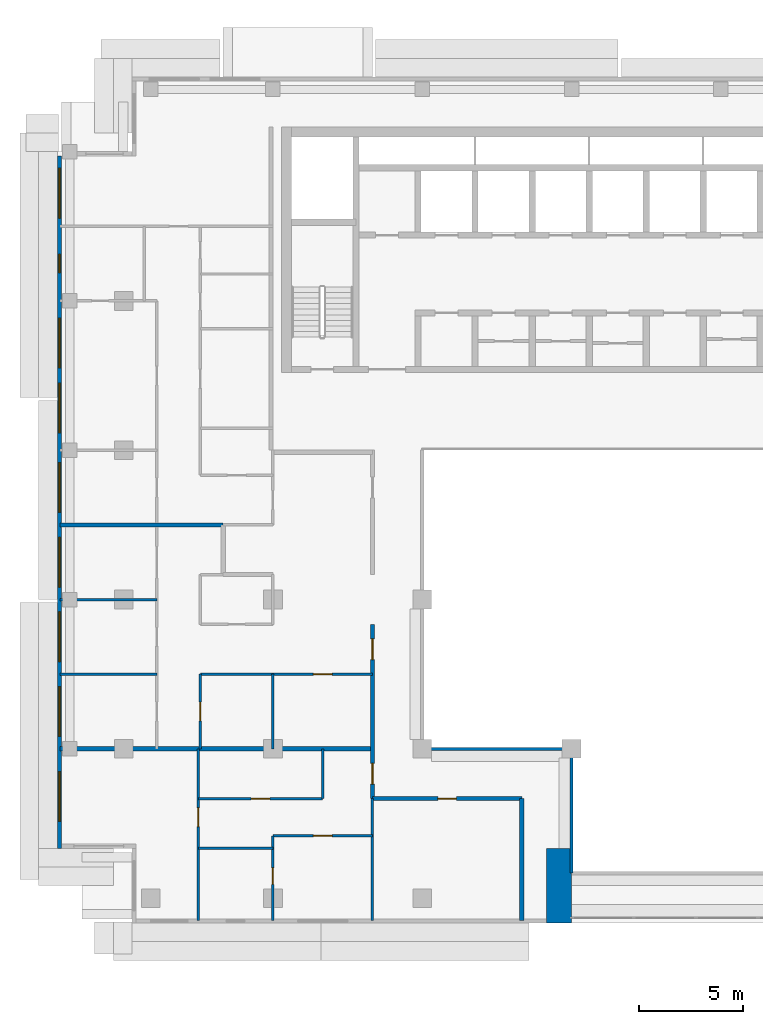
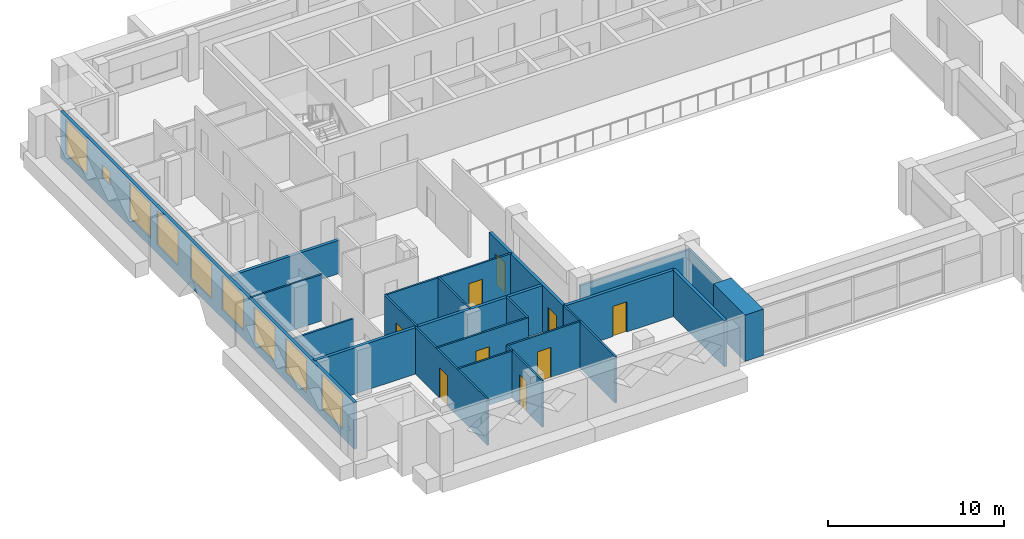
# One storey, part 6 of 19: 21 walls, 9 doors, 9 windows, 18 openings.
"""IFC4 building model written with IfcOpenShell, lengths in metres."""

from ifc_helpers import new_model, si_unit, direction, frame, frame_2d, origin, place, context, subcontext, project, spatial, rectangle, extrude, material, layer, layer_set, type_object, element, fill, save


model = new_model("IFC4")

# Units and contexts
model_context = context("Model", 3, precision=1e-05, world=origin(), true_north=direction((0.0, 1.0)))
body_context = subcontext(model_context, "Body", "Model", "MODEL_VIEW")
ifc_project = project(units=[si_unit("LENGTHUNIT", "METRE"), si_unit("AREAUNIT", "SQUARE_METRE"), si_unit("VOLUMEUNIT", "CUBIC_METRE"), si_unit("PLANEANGLEUNIT", "RADIAN"), si_unit("MASSUNIT", "GRAM", prefix="KILO")], contexts=[model_context])

# Site, building, storey
site_placement = place(None, origin())
site = spatial("IfcSite", under=ifc_project, at=site_placement, CompositionType="ELEMENT")
building_placement = place(site_placement, origin())
building = spatial("IfcBuilding", under=site, at=building_placement, Name="Saffron Iwan Residences", CompositionType="ELEMENT")
storey_placement = place(building_placement, frame((0.0, 0.0, 215.0)))
storey = spatial("IfcBuildingStorey", under=building, at=storey_placement, Name="L57", CompositionType="ELEMENT", Elevation=215.0)

# Walls
ifc_material_1 = material(Name="Fire-rated glazing", Category="glass")
ifc_layer_1 = layer(ifc_material_1, 0.14990234375)
ifc_layer_set_1 = layer_set([ifc_layer_1], Name="Fire-rated glazing")
wall_type_1 = type_object("IfcWallType", Name="Atrium glazed screen 150", PredefinedType="SOLIDWALL", material=ifc_layer_set_1)
wall_1_placement = place(storey_placement, frame((36.0, 48.0, 0.0), z_axis=(0.0, 0.0, 1.0), x_axis=(1.0, 0.0, 0.0)))
element("IfcWall", 1, at=wall_1_placement, inside=storey, type_object=wall_type_1, Name="W-L57-SCREEN-h48-36", PredefinedType="SOLIDWALL", context=body_context, shape_type="SweptSolid", body=[
    extrude(rectangle(XDim=7.199951171875, YDim=0.14990234375, at=frame_2d((3.60009765625, 0.0))), origin(), (0.0, 0.0, 1.0), 2.320068359375),
])
wall_2_placement = place(storey_placement, frame((43.199951171875, 42.0, 0.0), z_axis=(0.0, 0.0, 1.0), x_axis=(0.0, 1.0, 0.0)))
element("IfcWall", 2, at=wall_2_placement, inside=storey, type_object=wall_type_1, Name="W-L57-SCREEN-v43.2-42", PredefinedType="SOLIDWALL", context=body_context, shape_type="SweptSolid", body=[
    extrude(rectangle(XDim=6.0, YDim=0.14990234375, at=frame_2d((3.0, 0.0))), origin(), (0.0, 0.0, 1.0), 2.320068359375),
])

# Wall, openings, windows
ifc_material_2 = material(Name="Concrete C40/50", Category="concrete")
ifc_layer_2 = layer(ifc_material_2, 0.199951171875)
ifc_layer_set_2 = layer_set([ifc_layer_2], Name="Concrete C40/50")
wall_type_2 = type_object("IfcWallType", Name="EXTERNAL WALL 200", PredefinedType="SOLIDWALL", material=ifc_layer_set_2)
wall_3_placement = place(storey_placement, frame((18.5, 76.60009765625, 0.0), z_axis=(0.0, 0.0, 1.0), x_axis=(0.0, -1.0, 0.0)))
wall_3 = element("IfcWall", 3, at=wall_3_placement, inside=storey, type_object=wall_type_2, Name="External wall L57 F8.0", PredefinedType="SOLIDWALL", context=body_context, shape_type="SweptSolid", body=[
    extrude(rectangle(XDim=33.400146484375, YDim=0.199951171875, at=frame_2d((16.7001953125, 0.0))), origin(), (0.0, 0.0, 1.0), 3.219970703125),
])
opening_1_placement = place(wall_3_placement, frame((29.699951171875, 0.0, 0.60009765625)))
opening_1 = element("IfcOpeningElement", 4, at=opening_1_placement, cuts=wall_3, Name="Opening W1", PredefinedType="OPENING", context=body_context, shape_type="SweptSolid", body=[
    extrude(rectangle(XDim=2.39990234375, YDim=2.39990234375, at=frame_2d((1.199951171875, 1.199951171875))), frame((0.0, 0.10986328125, 0.0), z_axis=(0.0, -1.0, 0.0), x_axis=(1.0, 0.0, 0.0)), (0.0, 0.0, 1.0), 0.219970703125),
])
opening_2_placement = place(wall_3_placement, frame((25.60009765625, 0.0, 0.60009765625)))
opening_2 = element("IfcOpeningElement", 5, at=opening_2_placement, cuts=wall_3, Name="Opening W1", PredefinedType="OPENING", context=body_context, shape_type="SweptSolid", body=[
    extrude(rectangle(XDim=2.39990234375, YDim=2.39990234375, at=frame_2d((1.199951171875, 1.199951171875))), frame((0.0, 0.10986328125, 0.0), z_axis=(0.0, -1.0, 0.0), x_axis=(1.0, 0.0, 0.0)), (0.0, 0.0, 1.0), 0.219970703125),
])
opening_3_placement = place(wall_3_placement, frame((22.0, 0.0, 0.60009765625)))
opening_3 = element("IfcOpeningElement", 6, at=opening_3_placement, cuts=wall_3, Name="Opening W1", PredefinedType="OPENING", context=body_context, shape_type="SweptSolid", body=[
    extrude(rectangle(XDim=2.39990234375, YDim=2.39990234375, at=frame_2d((1.199951171875, 1.199951171875))), frame((0.0, 0.10986328125, 0.0), z_axis=(0.0, -1.0, 0.0), x_axis=(1.0, 0.0, 0.0)), (0.0, 0.0, 1.0), 0.219970703125),
])
opening_4_placement = place(wall_3_placement, frame((18.39990234375, 0.0, 0.60009765625)))
opening_4 = element("IfcOpeningElement", 7, at=opening_4_placement, cuts=wall_3, Name="Opening W1", PredefinedType="OPENING", context=body_context, shape_type="SweptSolid", body=[
    extrude(rectangle(XDim=2.39990234375, YDim=2.39990234375, at=frame_2d((1.199951171875, 1.199951171875))), frame((0.0, 0.10986328125, 0.0), z_axis=(0.0, -1.0, 0.0), x_axis=(1.0, 0.0, 0.0)), (0.0, 0.0, 1.0), 0.219970703125),
])
opening_5_placement = place(wall_3_placement, frame((14.800048828125, 0.0, 0.60009765625)))
opening_5 = element("IfcOpeningElement", 8, at=opening_5_placement, cuts=wall_3, Name="Opening W1", PredefinedType="OPENING", context=body_context, shape_type="SweptSolid", body=[
    extrude(rectangle(XDim=2.39990234375, YDim=2.39990234375, at=frame_2d((1.199951171875, 1.199951171875))), frame((0.0, 0.10986328125, 0.0), z_axis=(0.0, -1.0, 0.0), x_axis=(1.0, 0.0, 0.0)), (0.0, 0.0, 1.0), 0.219970703125),
])
opening_6_placement = place(wall_3_placement, frame((7.833251953125, 0.0, 0.60009765625)))
opening_6 = element("IfcOpeningElement", 9, at=opening_6_placement, cuts=wall_3, Name="Opening W1", PredefinedType="OPENING", context=body_context, shape_type="SweptSolid", body=[
    extrude(rectangle(XDim=2.39990234375, YDim=2.39990234375, at=frame_2d((1.199951171875, 1.199951171875))), frame((0.0, 0.10986328125, 0.0), z_axis=(0.0, -1.0, 0.0), x_axis=(1.0, 0.0, 0.0)), (0.0, 0.0, 1.0), 0.219970703125),
])
opening_7_placement = place(wall_3_placement, frame((10.966796875, 0.0, 0.60009765625)))
opening_7 = element("IfcOpeningElement", 10, at=opening_7_placement, cuts=wall_3, Name="Opening W1", PredefinedType="OPENING", context=body_context, shape_type="SweptSolid", body=[
    extrude(rectangle(XDim=2.39990234375, YDim=2.39990234375, at=frame_2d((1.199951171875, 1.199951171875))), frame((0.0, 0.10986328125, 0.0), z_axis=(0.0, -1.0, 0.0), x_axis=(1.0, 0.0, 0.0)), (0.0, 0.0, 1.0), 0.219970703125),
])
opening_8_placement = place(wall_3_placement, frame((4.75, 0.0, 1.5)))
opening_8 = element("IfcOpeningElement", 11, at=opening_8_placement, cuts=wall_3, Name="Opening W6", PredefinedType="OPENING", context=body_context, shape_type="SweptSolid", body=[
    extrude(rectangle(XDim=0.89990234375, YDim=0.89990234375, at=frame_2d((0.449951171875, 0.449951171875))), frame((0.0, 0.10986328125, 0.0), z_axis=(0.0, -1.0, 0.0), x_axis=(1.0, 0.0, 0.0)), (0.0, 0.0, 1.0), 0.219970703125),
])
opening_9_placement = place(wall_3_placement, frame((0.60009765625, 0.0, 0.60009765625)))
opening_9 = element("IfcOpeningElement", 12, at=opening_9_placement, cuts=wall_3, Name="Opening W1", PredefinedType="OPENING", context=body_context, shape_type="SweptSolid", body=[
    extrude(rectangle(XDim=2.39990234375, YDim=2.39990234375, at=frame_2d((1.199951171875, 1.199951171875))), frame((0.0, 0.10986328125, 0.0), z_axis=(0.0, -1.0, 0.0), x_axis=(1.0, 0.0, 0.0)), (0.0, 0.0, 1.0), 0.219970703125),
])
ifc_material_3 = material(Name="Clear glass, laminated double glazed", Category="glass")
window_type_1 = type_object("IfcWindowType", Name="WINDOW 2400 x 2400", PartitioningType="DOUBLE_PANEL_VERTICAL", PredefinedType="WINDOW", material=ifc_material_3)
window_1_placement = place(opening_1_placement, origin())
window_1 = element("IfcWindow", 13, at=window_1_placement, inside=storey, type_object=window_type_1, Name="Window L57 F8.0", OverallHeight=2.39990234375, OverallWidth=2.39990234375, PartitioningType="DOUBLE_PANEL_VERTICAL", PredefinedType="WINDOW", context=body_context, shape_type="SweptSolid", body=[
    extrude(rectangle(XDim=2.39990234375, YDim=2.39990234375, at=frame_2d((1.199951171875, 1.199951171875))), frame((0.0, 0.030029296875, 0.0), z_axis=(0.0, -1.0, 0.0), x_axis=(1.0, 0.0, 0.0)), (0.0, 0.0, 1.0), 0.06005859375),
])
fill(opening_1, window_1)
window_2_placement = place(opening_2_placement, origin())
window_2 = element("IfcWindow", 14, at=window_2_placement, inside=storey, type_object=window_type_1, Name="Window L57 F8.1", OverallHeight=2.39990234375, OverallWidth=2.39990234375, PartitioningType="DOUBLE_PANEL_VERTICAL", PredefinedType="WINDOW", context=body_context, shape_type="SweptSolid", body=[
    extrude(rectangle(XDim=2.39990234375, YDim=2.39990234375, at=frame_2d((1.199951171875, 1.199951171875))), frame((0.0, 0.030029296875, 0.0), z_axis=(0.0, -1.0, 0.0), x_axis=(1.0, 0.0, 0.0)), (0.0, 0.0, 1.0), 0.06005859375),
])
fill(opening_2, window_2)
window_3_placement = place(opening_3_placement, origin())
window_3 = element("IfcWindow", 15, at=window_3_placement, inside=storey, type_object=window_type_1, Name="Window L57 F8.2", OverallHeight=2.39990234375, OverallWidth=2.39990234375, PartitioningType="DOUBLE_PANEL_VERTICAL", PredefinedType="WINDOW", context=body_context, shape_type="SweptSolid", body=[
    extrude(rectangle(XDim=2.39990234375, YDim=2.39990234375, at=frame_2d((1.199951171875, 1.199951171875))), frame((0.0, 0.030029296875, 0.0), z_axis=(0.0, -1.0, 0.0), x_axis=(1.0, 0.0, 0.0)), (0.0, 0.0, 1.0), 0.06005859375),
])
fill(opening_3, window_3)
window_4_placement = place(opening_4_placement, origin())
window_4 = element("IfcWindow", 16, at=window_4_placement, inside=storey, type_object=window_type_1, Name="Window L57 F8.3", OverallHeight=2.39990234375, OverallWidth=2.39990234375, PartitioningType="DOUBLE_PANEL_VERTICAL", PredefinedType="WINDOW", context=body_context, shape_type="SweptSolid", body=[
    extrude(rectangle(XDim=2.39990234375, YDim=2.39990234375, at=frame_2d((1.199951171875, 1.199951171875))), frame((0.0, 0.030029296875, 0.0), z_axis=(0.0, -1.0, 0.0), x_axis=(1.0, 0.0, 0.0)), (0.0, 0.0, 1.0), 0.06005859375),
])
fill(opening_4, window_4)
window_5_placement = place(opening_5_placement, origin())
window_5 = element("IfcWindow", 17, at=window_5_placement, inside=storey, type_object=window_type_1, Name="Window L57 F8.4", OverallHeight=2.39990234375, OverallWidth=2.39990234375, PartitioningType="DOUBLE_PANEL_VERTICAL", PredefinedType="WINDOW", context=body_context, shape_type="SweptSolid", body=[
    extrude(rectangle(XDim=2.39990234375, YDim=2.39990234375, at=frame_2d((1.199951171875, 1.199951171875))), frame((0.0, 0.030029296875, 0.0), z_axis=(0.0, -1.0, 0.0), x_axis=(1.0, 0.0, 0.0)), (0.0, 0.0, 1.0), 0.06005859375),
])
fill(opening_5, window_5)
window_6_placement = place(opening_6_placement, origin())
window_6 = element("IfcWindow", 18, at=window_6_placement, inside=storey, type_object=window_type_1, Name="Window L57 F8.5", OverallHeight=2.39990234375, OverallWidth=2.39990234375, PartitioningType="DOUBLE_PANEL_VERTICAL", PredefinedType="WINDOW", context=body_context, shape_type="SweptSolid", body=[
    extrude(rectangle(XDim=2.39990234375, YDim=2.39990234375, at=frame_2d((1.199951171875, 1.199951171875))), frame((0.0, 0.030029296875, 0.0), z_axis=(0.0, -1.0, 0.0), x_axis=(1.0, 0.0, 0.0)), (0.0, 0.0, 1.0), 0.06005859375),
])
fill(opening_6, window_6)
window_7_placement = place(opening_7_placement, origin())
window_7 = element("IfcWindow", 19, at=window_7_placement, inside=storey, type_object=window_type_1, Name="Window L57 F8.6", OverallHeight=2.39990234375, OverallWidth=2.39990234375, PartitioningType="DOUBLE_PANEL_VERTICAL", PredefinedType="WINDOW", context=body_context, shape_type="SweptSolid", body=[
    extrude(rectangle(XDim=2.39990234375, YDim=2.39990234375, at=frame_2d((1.199951171875, 1.199951171875))), frame((0.0, 0.030029296875, 0.0), z_axis=(0.0, -1.0, 0.0), x_axis=(1.0, 0.0, 0.0)), (0.0, 0.0, 1.0), 0.06005859375),
])
fill(opening_7, window_7)
window_8_placement = place(opening_9_placement, origin())
window_8 = element("IfcWindow", 20, at=window_8_placement, inside=storey, type_object=window_type_1, Name="Window L57 F8.8", OverallHeight=2.39990234375, OverallWidth=2.39990234375, PartitioningType="DOUBLE_PANEL_VERTICAL", PredefinedType="WINDOW", context=body_context, shape_type="SweptSolid", body=[
    extrude(rectangle(XDim=2.39990234375, YDim=2.39990234375, at=frame_2d((1.199951171875, 1.199951171875))), frame((0.0, 0.030029296875, 0.0), z_axis=(0.0, -1.0, 0.0), x_axis=(1.0, 0.0, 0.0)), (0.0, 0.0, 1.0), 0.06005859375),
])
fill(opening_9, window_8)
window_type_2 = type_object("IfcWindowType", Name="WINDOW 900 x 900 BATH", PartitioningType="SINGLE_PANEL", PredefinedType="WINDOW", material=ifc_material_3)
window_9_placement = place(opening_8_placement, origin())
window_9 = element("IfcWindow", 21, at=window_9_placement, inside=storey, type_object=window_type_2, Name="Window L57 F8.7", OverallHeight=0.89990234375, OverallWidth=0.89990234375, PartitioningType="SINGLE_PANEL", PredefinedType="WINDOW", context=body_context, shape_type="SweptSolid", body=[
    extrude(rectangle(XDim=0.89990234375, YDim=0.89990234375, at=frame_2d((0.449951171875, 0.449951171875))), frame((0.0, 0.030029296875, 0.0), z_axis=(0.0, -1.0, 0.0), x_axis=(1.0, 0.0, 0.0)), (0.0, 0.0, 1.0), 0.06005859375),
])
fill(opening_8, window_9)

# Walls
ifc_material_4 = material(Name="Fire-rated gypsum board wall")
ifc_layer_3 = layer(ifc_material_4, 0.199951171875)
ifc_layer_set_3 = layer_set([ifc_layer_3], Name="Fire-rated gypsum board wall")
wall_type_3 = type_object("IfcWallType", Name="Flat demising wall 200", PredefinedType="SOLIDWALL", material=ifc_layer_set_3)
wall_4_placement = place(storey_placement, frame((18.52490234375, 48.0, 0.0), z_axis=(0.0, 0.0, 1.0), x_axis=(1.0, 0.0, 0.0)))
element("IfcWall", 22, at=wall_4_placement, inside=storey, type_object=wall_type_3, Name="W-L57-DEMISE-h48-18.525", PredefinedType="SOLIDWALL", context=body_context, shape_type="SweptSolid", body=[
    extrude(rectangle(XDim=15.0751953125, YDim=0.199951171875, at=frame_2d((7.53759765625, 0.0))), origin(), (0.0, 0.0, 1.0), 3.219970703125),
])
wall_5_placement = place(storey_placement, frame((18.52490234375, 58.800048828125, 0.0), z_axis=(0.0, 0.0, 1.0), x_axis=(1.0, 0.0, 0.0)))
element("IfcWall", 23, at=wall_5_placement, inside=storey, type_object=wall_type_3, Name="W-L57-DEMISE-h58.8-18.525", PredefinedType="SOLIDWALL", context=body_context, shape_type="SweptSolid", body=[
    extrude(rectangle(XDim=7.875, YDim=0.199951171875, at=frame_2d((3.9375, 0.0))), origin(), (0.0, 0.0, 1.0), 2.320068359375),
])
ifc_material_5 = material(Name="Gypsum board partition")
ifc_layer_4 = layer(ifc_material_5, 0.1201171875)
ifc_layer_set_4 = layer_set([ifc_layer_4], Name="Gypsum board partition")
wall_type_4 = type_object("IfcWallType", Name="Flat partition 120", PredefinedType="PARTITIONING", material=ifc_layer_set_4)
wall_6_placement = place(storey_placement, frame((25.199951171875, 43.199951171875, 0.0), z_axis=(0.0, 0.0, 1.0), x_axis=(1.0, 0.0, 0.0)))
element("IfcWall", 24, at=wall_6_placement, inside=storey, type_object=wall_type_4, Name="W-L57-PART-h43.2-25.2", PredefinedType="PARTITIONING", context=body_context, shape_type="SweptSolid", body=[
    extrude(rectangle(XDim=3.60009765625, YDim=0.1201171875, at=frame_2d((1.800048828125, 0.0))), origin(), (0.0, 0.0, 1.0), 3.219970703125),
])

# Wall, opening, door
wall_7_placement = place(storey_placement, frame((28.800048828125, 43.800048828125, 0.0), z_axis=(0.0, 0.0, 1.0), x_axis=(1.0, 0.0, 0.0)))
wall_7 = element("IfcWall", 25, at=wall_7_placement, inside=storey, type_object=wall_type_4, Name="W-L57-PART-h43.8-28.8", PredefinedType="PARTITIONING", context=body_context, shape_type="SweptSolid", body=[
    extrude(rectangle(XDim=4.800048828125, YDim=0.1201171875, at=frame_2d((2.39990234375, 0.0))), origin(), (0.0, 0.0, 1.0), 3.219970703125),
])
opening_10_placement = place(wall_7_placement, frame((1.949951171875, 0.0, 0.0)))
opening_10 = element("IfcOpeningElement", 26, at=opening_10_placement, cuts=wall_7, Name="Opening FD2", PredefinedType="OPENING", context=body_context, shape_type="SweptSolid", body=[
    extrude(rectangle(XDim=0.89990234375, YDim=2.10009765625, at=frame_2d((0.449951171875, 1.050048828125))), frame((0.0, 0.070068359375, 0.0), z_axis=(0.0, -1.0, 0.0), x_axis=(1.0, 0.0, 0.0)), (0.0, 0.0, 1.0), 0.14013671875),
])
ifc_material_6 = material(Name="Timber door", Category="wood")
door_type_1 = type_object("IfcDoorType", Name="Flat door 900", OperationType="NOTDEFINED", PredefinedType="DOOR", material=ifc_material_6)
door_1_placement = place(opening_10_placement, origin())
door_1 = element("IfcDoor", 27, at=door_1_placement, inside=storey, type_object=door_type_1, Name="Door L57-003", OperationType="SINGLE_SWING_LEFT", OverallHeight=2.10009765625, OverallWidth=0.89990234375, PredefinedType="DOOR", context=body_context, shape_type="SweptSolid", body=[
    extrude(rectangle(XDim=0.89990234375, YDim=2.10009765625, at=frame_2d((0.449951171875, 1.050048828125))), frame((0.0, 0.02490234375, 0.0), z_axis=(0.0, -1.0, 0.0), x_axis=(1.0, 0.0, 0.0)), (0.0, 0.0, 1.0), 0.050048828125),
])
fill(opening_10, door_1)

wall_8_placement = place(storey_placement, frame((25.199951171875, 45.60009765625, 0.0), z_axis=(0.0, 0.0, 1.0), x_axis=(1.0, 0.0, 0.0)))
wall_8 = element("IfcWall", 28, at=wall_8_placement, inside=storey, type_object=wall_type_4, Name="W-L57-PART-h45.6-25.2", PredefinedType="PARTITIONING", context=body_context, shape_type="SweptSolid", body=[
    extrude(rectangle(XDim=6.0, YDim=0.1201171875, at=frame_2d((3.0, 0.0))), origin(), (0.0, 0.0, 1.0), 3.219970703125),
])
opening_11_placement = place(wall_8_placement, frame((2.550048828125, 0.0, 0.0)))
opening_11 = element("IfcOpeningElement", 29, at=opening_11_placement, cuts=wall_8, Name="Opening FD2", PredefinedType="OPENING", context=body_context, shape_type="SweptSolid", body=[
    extrude(rectangle(XDim=0.89990234375, YDim=2.10009765625, at=frame_2d((0.449951171875, 1.050048828125))), frame((0.0, 0.070068359375, 0.0), z_axis=(0.0, -1.0, 0.0), x_axis=(1.0, 0.0, 0.0)), (0.0, 0.0, 1.0), 0.14013671875),
])
door_2_placement = place(opening_11_placement, origin())
door_2 = element("IfcDoor", 30, at=door_2_placement, inside=storey, type_object=door_type_1, Name="Door L57-005", OperationType="SINGLE_SWING_LEFT", OverallHeight=2.10009765625, OverallWidth=0.89990234375, PredefinedType="DOOR", context=body_context, shape_type="SweptSolid", body=[
    extrude(rectangle(XDim=0.89990234375, YDim=2.10009765625, at=frame_2d((0.449951171875, 1.050048828125))), frame((0.0, 0.02490234375, 0.0), z_axis=(0.0, -1.0, 0.0), x_axis=(1.0, 0.0, 0.0)), (0.0, 0.0, 1.0), 0.050048828125),
])
fill(opening_11, door_2)

# Wall
wall_9_placement = place(storey_placement, frame((18.52490234375, 51.60009765625, 0.0), z_axis=(0.0, 0.0, 1.0), x_axis=(1.0, 0.0, 0.0)))
element("IfcWall", 31, at=wall_9_placement, inside=storey, type_object=wall_type_4, Name="W-L57-PART-h51.6-18.525", PredefinedType="PARTITIONING", context=body_context, shape_type="SweptSolid", body=[
    extrude(rectangle(XDim=4.675048828125, YDim=0.1201171875, at=frame_2d((2.33740234375, 0.0))), origin(), (0.0, 0.0, 1.0), 2.320068359375),
])

# Wall, opening, door
wall_10_placement = place(storey_placement, frame((25.300048828125, 51.60009765625, 0.0), z_axis=(0.0, 0.0, 1.0), x_axis=(1.0, 0.0, 0.0)))
wall_10 = element("IfcWall", 32, at=wall_10_placement, inside=storey, type_object=wall_type_4, Name="W-L57-PART-h51.6-25.3", PredefinedType="PARTITIONING", context=body_context, shape_type="SweptSolid", body=[
    extrude(rectangle(XDim=8.300048828125, YDim=0.1201171875, at=frame_2d((4.14990234375, 0.0))), origin(), (0.0, 0.0, 1.0), 3.219970703125),
])
opening_12_placement = place(wall_10_placement, frame((5.449951171875, 0.0, 0.0)))
opening_12 = element("IfcOpeningElement", 33, at=opening_12_placement, cuts=wall_10, Name="Opening FD2", PredefinedType="OPENING", context=body_context, shape_type="SweptSolid", body=[
    extrude(rectangle(XDim=0.89990234375, YDim=2.10009765625, at=frame_2d((0.449951171875, 1.050048828125))), frame((0.0, 0.070068359375, 0.0), z_axis=(0.0, -1.0, 0.0), x_axis=(1.0, 0.0, 0.0)), (0.0, 0.0, 1.0), 0.14013671875),
])
door_3_placement = place(opening_12_placement, origin())
door_3 = element("IfcDoor", 34, at=door_3_placement, inside=storey, type_object=door_type_1, Name="Door L57-013", OperationType="SINGLE_SWING_RIGHT", OverallHeight=2.10009765625, OverallWidth=0.89990234375, PredefinedType="DOOR", context=body_context, shape_type="SweptSolid", body=[
    extrude(rectangle(XDim=0.89990234375, YDim=2.10009765625, at=frame_2d((0.449951171875, 1.050048828125))), frame((0.0, 0.02490234375, 0.0), z_axis=(0.0, -1.0, 0.0), x_axis=(1.0, 0.0, 0.0)), (0.0, 0.0, 1.0), 0.050048828125),
])
fill(opening_12, door_3)

# Wall
wall_11_placement = place(storey_placement, frame((18.52490234375, 55.199951171875, 0.0), z_axis=(0.0, 0.0, 1.0), x_axis=(1.0, 0.0, 0.0)))
element("IfcWall", 35, at=wall_11_placement, inside=storey, type_object=wall_type_4, Name="W-L57-PART-h55.2-18.525", PredefinedType="PARTITIONING", context=body_context, shape_type="SweptSolid", body=[
    extrude(rectangle(XDim=4.675048828125, YDim=0.1201171875, at=frame_2d((2.33740234375, 0.0))), origin(), (0.0, 0.0, 1.0), 3.219970703125),
])

# Wall, opening, door
wall_12_placement = place(storey_placement, frame((25.199951171875, 39.72509765625, 0.0), z_axis=(0.0, 0.0, 1.0), x_axis=(0.0, 1.0, 0.0)))
wall_12 = element("IfcWall", 36, at=wall_12_placement, inside=storey, type_object=wall_type_4, Name="W-L57-PART-v25.2-39.725", PredefinedType="PARTITIONING", context=body_context, shape_type="SweptSolid", body=[
    extrude(rectangle(XDim=8.27490234375, YDim=0.1201171875, at=frame_2d((4.137451171875, 0.0))), origin(), (0.0, 0.0, 1.0), 3.219970703125),
])
opening_13_placement = place(wall_12_placement, frame((4.52490234375, 0.0, 0.0)))
opening_13 = element("IfcOpeningElement", 37, at=opening_13_placement, cuts=wall_12, Name="Opening FD2", PredefinedType="OPENING", context=body_context, shape_type="SweptSolid", body=[
    extrude(rectangle(XDim=0.89990234375, YDim=2.10009765625, at=frame_2d((0.449951171875, 1.050048828125))), frame((0.0, 0.070068359375, 0.0), z_axis=(0.0, -1.0, 0.0), x_axis=(1.0, 0.0, 0.0)), (0.0, 0.0, 1.0), 0.14013671875),
])
door_4_placement = place(opening_13_placement, origin())
door_4 = element("IfcDoor", 38, at=door_4_placement, inside=storey, type_object=door_type_1, Name="Door L57-002", OperationType="SINGLE_SWING_LEFT", OverallHeight=2.10009765625, OverallWidth=0.89990234375, PredefinedType="DOOR", context=body_context, shape_type="SweptSolid", body=[
    extrude(rectangle(XDim=0.89990234375, YDim=2.10009765625, at=frame_2d((0.449951171875, 1.050048828125))), frame((0.0, 0.02490234375, 0.0), z_axis=(0.0, -1.0, 0.0), x_axis=(1.0, 0.0, 0.0)), (0.0, 0.0, 1.0), 0.050048828125),
])
fill(opening_13, door_4)

wall_13_placement = place(storey_placement, frame((25.300048828125, 48.0, 0.0), z_axis=(0.0, 0.0, 1.0), x_axis=(0.0, 1.0, 0.0)))
wall_13 = element("IfcWall", 39, at=wall_13_placement, inside=storey, type_object=wall_type_4, Name="W-L57-PART-v25.3-48", PredefinedType="PARTITIONING", context=body_context, shape_type="SweptSolid", body=[
    extrude(rectangle(XDim=3.60009765625, YDim=0.1201171875, at=frame_2d((1.800048828125, 0.0))), origin(), (0.0, 0.0, 1.0), 3.219970703125),
])
opening_14_placement = place(wall_13_placement, frame((1.35009765625, 0.0, 0.0)))
opening_14 = element("IfcOpeningElement", 40, at=opening_14_placement, cuts=wall_13, Name="Opening FD2", PredefinedType="OPENING", context=body_context, shape_type="SweptSolid", body=[
    extrude(rectangle(XDim=0.89990234375, YDim=2.10009765625, at=frame_2d((0.449951171875, 1.050048828125))), frame((0.0, 0.070068359375, 0.0), z_axis=(0.0, -1.0, 0.0), x_axis=(1.0, 0.0, 0.0)), (0.0, 0.0, 1.0), 0.14013671875),
])
door_5_placement = place(opening_14_placement, origin())
door_5 = element("IfcDoor", 41, at=door_5_placement, inside=storey, type_object=door_type_1, Name="Door L57-011", OperationType="SINGLE_SWING_LEFT", OverallHeight=2.10009765625, OverallWidth=0.89990234375, PredefinedType="DOOR", context=body_context, shape_type="SweptSolid", body=[
    extrude(rectangle(XDim=0.89990234375, YDim=2.10009765625, at=frame_2d((0.449951171875, 1.050048828125))), frame((0.0, 0.02490234375, 0.0), z_axis=(0.0, -1.0, 0.0), x_axis=(1.0, 0.0, 0.0)), (0.0, 0.0, 1.0), 0.050048828125),
])
fill(opening_14, door_5)

wall_14_placement = place(storey_placement, frame((28.800048828125, 39.72509765625, 0.0), z_axis=(0.0, 0.0, 1.0), x_axis=(0.0, 1.0, 0.0)))
wall_14 = element("IfcWall", 42, at=wall_14_placement, inside=storey, type_object=wall_type_4, Name="W-L57-PART-v28.8-39.725", PredefinedType="PARTITIONING", context=body_context, shape_type="SweptSolid", body=[
    extrude(rectangle(XDim=4.074951171875, YDim=0.1201171875, at=frame_2d((2.03759765625, 0.0))), origin(), (0.0, 0.0, 1.0), 3.219970703125),
])
opening_15_placement = place(wall_14_placement, frame((1.737548828125, 0.0, 0.0)))
opening_15 = element("IfcOpeningElement", 43, at=opening_15_placement, cuts=wall_14, Name="Opening FD3", PredefinedType="OPENING", context=body_context, shape_type="SweptSolid", body=[
    extrude(rectangle(XDim=0.800048828125, YDim=2.10009765625, at=frame_2d((0.39990234375, 1.050048828125))), frame((0.0, 0.070068359375, 0.0), z_axis=(0.0, -1.0, 0.0), x_axis=(1.0, 0.0, 0.0)), (0.0, 0.0, 1.0), 0.14013671875),
])
door_type_2 = type_object("IfcDoorType", Name="Bathroom door 800", OperationType="NOTDEFINED", PredefinedType="DOOR", material=ifc_material_6)
door_6_placement = place(opening_15_placement, origin())
door_6 = element("IfcDoor", 44, at=door_6_placement, inside=storey, type_object=door_type_2, Name="Door L57-004", OperationType="SINGLE_SWING_LEFT", OverallHeight=2.10009765625, OverallWidth=0.800048828125, PredefinedType="DOOR", context=body_context, shape_type="SweptSolid", body=[
    extrude(rectangle(XDim=0.800048828125, YDim=2.10009765625, at=frame_2d((0.39990234375, 1.050048828125))), frame((0.0, 0.02490234375, 0.0), z_axis=(0.0, -1.0, 0.0), x_axis=(1.0, 0.0, 0.0)), (0.0, 0.0, 1.0), 0.050048828125),
])
fill(opening_15, door_6)

# Walls
wall_15_placement = place(storey_placement, frame((28.800048828125, 48.0, 0.0), z_axis=(0.0, 0.0, 1.0), x_axis=(0.0, 1.0, 0.0)))
element("IfcWall", 45, at=wall_15_placement, inside=storey, type_object=wall_type_4, Name="W-L57-PART-v28.8-48", PredefinedType="PARTITIONING", context=body_context, shape_type="SweptSolid", body=[
    extrude(rectangle(XDim=3.60009765625, YDim=0.1201171875, at=frame_2d((1.800048828125, 0.0))), origin(), (0.0, 0.0, 1.0), 3.219970703125),
])
wall_16_placement = place(storey_placement, frame((31.199951171875, 45.60009765625, 0.0), z_axis=(0.0, 0.0, 1.0), x_axis=(0.0, 1.0, 0.0)))
element("IfcWall", 46, at=wall_16_placement, inside=storey, type_object=wall_type_4, Name="W-L57-PART-v31.2-45.6", PredefinedType="PARTITIONING", context=body_context, shape_type="SweptSolid", body=[
    extrude(rectangle(XDim=2.39990234375, YDim=0.1201171875, at=frame_2d((1.199951171875, 0.0))), origin(), (0.0, 0.0, 1.0), 3.219970703125),
])
wall_17_placement = place(storey_placement, frame((33.60009765625, 39.72509765625, 0.0), z_axis=(0.0, 0.0, 1.0), x_axis=(0.0, 1.0, 0.0)))
element("IfcWall", 47, at=wall_17_placement, inside=storey, type_object=wall_type_4, Name="W-L57-PART-v33.6-39.725", PredefinedType="PARTITIONING", context=body_context, shape_type="SweptSolid", body=[
    extrude(rectangle(XDim=5.875, YDim=0.1201171875, at=frame_2d((2.9375, 0.0))), origin(), (0.0, 0.0, 1.0), 3.219970703125),
])

# Wall, opening, door
ifc_layer_5 = layer(ifc_material_4, 0.199951171875)
ifc_layer_set_5 = layer_set([ifc_layer_5], Name="Fire-rated gypsum board wall")
wall_type_5 = type_object("IfcWallType", Name="Gallery wall 200", PredefinedType="SOLIDWALL", material=ifc_layer_set_5)
wall_18_placement = place(storey_placement, frame((33.60009765625, 45.60009765625, 0.0), z_axis=(0.0, 0.0, 1.0), x_axis=(1.0, 0.0, 0.0)))
wall_18 = element("IfcWall", 48, at=wall_18_placement, inside=storey, type_object=wall_type_5, Name="W-L57-CORR-h45.6-33.6", PredefinedType="SOLIDWALL", context=body_context, shape_type="SweptSolid", body=[
    extrude(rectangle(XDim=7.199951171875, YDim=0.199951171875, at=frame_2d((3.60009765625, 0.0))), origin(), (0.0, 0.0, 1.0), 3.219970703125),
])
opening_16_placement = place(wall_18_placement, frame((3.14990234375, 0.0, 0.0)))
opening_16 = element("IfcOpeningElement", 49, at=opening_16_placement, cuts=wall_18, Name="Opening FD2", PredefinedType="OPENING", context=body_context, shape_type="SweptSolid", body=[
    extrude(rectangle(XDim=0.89990234375, YDim=2.10009765625, at=frame_2d((0.449951171875, 1.050048828125))), frame((0.0, 0.10986328125, 0.0), z_axis=(0.0, -1.0, 0.0), x_axis=(1.0, 0.0, 0.0)), (0.0, 0.0, 1.0), 0.219970703125),
])
door_7_placement = place(opening_16_placement, origin())
door_7 = element("IfcDoor", 50, at=door_7_placement, inside=storey, type_object=door_type_1, Name="Door L57-006", OperationType="SINGLE_SWING_LEFT", OverallHeight=2.10009765625, OverallWidth=0.89990234375, PredefinedType="DOOR", context=body_context, shape_type="SweptSolid", body=[
    extrude(rectangle(XDim=0.89990234375, YDim=2.10009765625, at=frame_2d((0.449951171875, 1.050048828125))), frame((0.0, 0.02490234375, 0.0), z_axis=(0.0, -1.0, 0.0), x_axis=(1.0, 0.0, 0.0)), (0.0, 0.0, 1.0), 0.050048828125),
])
fill(opening_16, door_7)

# Wall, openings, doors
wall_19_placement = place(storey_placement, frame((33.60009765625, 45.60009765625, 0.0), z_axis=(0.0, 0.0, 1.0), x_axis=(0.0, 1.0, 0.0)))
wall_19 = element("IfcWall", 51, at=wall_19_placement, inside=storey, type_object=wall_type_5, Name="W-L57-CORR-v33.6-45.6", PredefinedType="SOLIDWALL", context=body_context, shape_type="SweptSolid", body=[
    extrude(rectangle(XDim=8.39990234375, YDim=0.199951171875, at=frame_2d((4.199951171875, 0.0))), origin(), (0.0, 0.0, 1.0), 3.219970703125),
])
opening_17_placement = place(wall_19_placement, frame((0.699951171875, 0.0, 0.0)))
opening_17 = element("IfcOpeningElement", 52, at=opening_17_placement, cuts=wall_19, Name="Opening FD1", PredefinedType="OPENING", context=body_context, shape_type="SweptSolid", body=[
    extrude(rectangle(XDim=1.0, YDim=2.10009765625, at=frame_2d((0.5, 1.050048828125))), frame((0.0, 0.10986328125, 0.0), z_axis=(0.0, -1.0, 0.0), x_axis=(1.0, 0.0, 0.0)), (0.0, 0.0, 1.0), 0.219970703125),
])
opening_18_placement = place(wall_19_placement, frame((6.699951171875, 0.0, 0.0)))
opening_18 = element("IfcOpeningElement", 53, at=opening_18_placement, cuts=wall_19, Name="Opening FD1", PredefinedType="OPENING", context=body_context, shape_type="SweptSolid", body=[
    extrude(rectangle(XDim=1.0, YDim=2.10009765625, at=frame_2d((0.5, 1.050048828125))), frame((0.0, 0.10986328125, 0.0), z_axis=(0.0, -1.0, 0.0), x_axis=(1.0, 0.0, 0.0)), (0.0, 0.0, 1.0), 0.219970703125),
])
ifc_material_7 = material(Name="Fire-rated timber door", Category="wood")
door_type_3 = type_object("IfcDoorType", Name="FD30S flat entrance door 1000", OperationType="NOTDEFINED", PredefinedType="DOOR", material=ifc_material_7)
door_8_placement = place(opening_17_placement, origin())
door_8 = element("IfcDoor", 54, at=door_8_placement, inside=storey, type_object=door_type_3, Name="Door L57-001", OperationType="SINGLE_SWING_RIGHT", OverallHeight=2.10009765625, OverallWidth=1.0, PredefinedType="DOOR", context=body_context, shape_type="SweptSolid", body=[
    extrude(rectangle(XDim=1.0, YDim=2.10009765625, at=frame_2d((0.5, 1.050048828125))), frame((0.0, 0.02490234375, 0.0), z_axis=(0.0, -1.0, 0.0), x_axis=(1.0, 0.0, 0.0)), (0.0, 0.0, 1.0), 0.050048828125),
])
fill(opening_17, door_8)
door_9_placement = place(opening_18_placement, origin())
door_9 = element("IfcDoor", 55, at=door_9_placement, inside=storey, type_object=door_type_3, Name="Door L57-007", OperationType="SINGLE_SWING_RIGHT", OverallHeight=2.10009765625, OverallWidth=1.0, PredefinedType="DOOR", context=body_context, shape_type="SweptSolid", body=[
    extrude(rectangle(XDim=1.0, YDim=2.10009765625, at=frame_2d((0.5, 1.050048828125))), frame((0.0, 0.02490234375, 0.0), z_axis=(0.0, -1.0, 0.0), x_axis=(1.0, 0.0, 0.0)), (0.0, 0.0, 1.0), 0.050048828125),
])
fill(opening_18, door_9)

# Walls
wall_20_placement = place(storey_placement, frame((40.800048828125, 39.72509765625, 0.0), z_axis=(0.0, 0.0, 1.0), x_axis=(0.0, 1.0, 0.0)))
element("IfcWall", 56, at=wall_20_placement, inside=storey, type_object=wall_type_5, Name="W-L57-CORR-v40.8-39.725", PredefinedType="SOLIDWALL", context=body_context, shape_type="SweptSolid", body=[
    extrude(rectangle(XDim=5.875, YDim=0.199951171875, at=frame_2d((2.9375, 0.0))), origin(), (0.0, 0.0, 1.0), 3.219970703125),
])
ifc_layer_6 = layer(ifc_material_2, 1.199951171875)
ifc_layer_set_6 = layer_set([ifc_layer_6], Name="Concrete C40/50")
wall_type_6 = type_object("IfcWallType", Name="WALL IWAN PIER 1200 C40/50 3220 HIGH", PredefinedType="SHEAR", material=ifc_layer_set_6)
wall_21_placement = place(storey_placement, frame((42.60009765625, 39.60009765625, 0.0), z_axis=(0.0, 0.0, 1.0), x_axis=(0.0, 1.0, 0.0)))
element("IfcWall", 57, at=wall_21_placement, inside=storey, type_object=wall_type_6, Name="IWAN PIER", PredefinedType="SHEAR", context=body_context, shape_type="SweptSolid", body=[
    extrude(rectangle(XDim=3.599853515625, YDim=1.199951171875, at=frame_2d((1.7998046875, 0.0))), origin(), (0.0, 0.0, 1.0), 3.219970703125),
])

save(model, "model.ifc")
